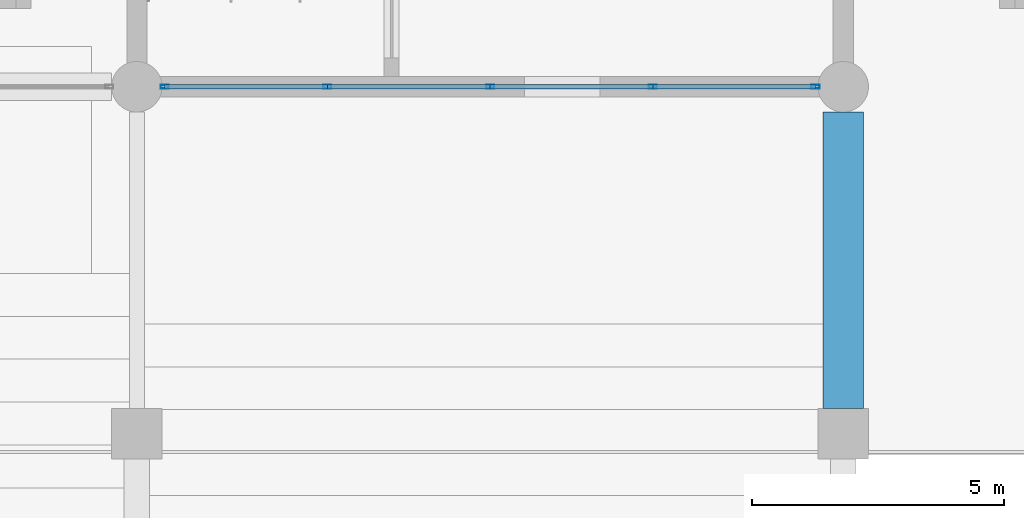
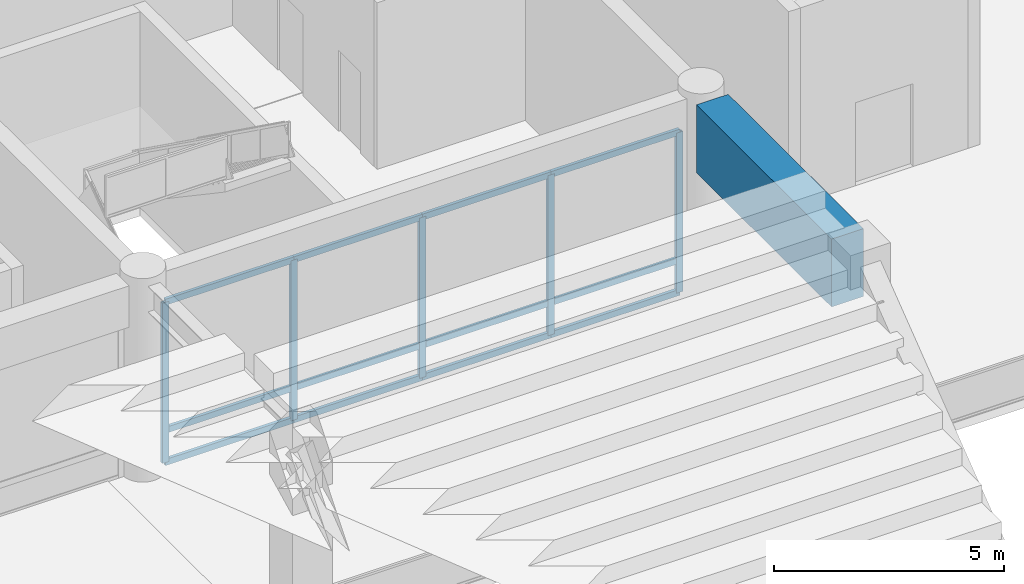
# One storey, part 68 of 117: 17 members, 1 beam, 1 element without a shape of its own.
"""IFC4 building model written with IfcOpenShell, lengths in metres."""

from ifc_helpers import new_model, si_unit, direction, frame, origin, origin_2d, place, context, subcontext, project, spatial, rectangle, hollow_rectangle, extrude, material, material_profile, profile_set, type_object, element, aggregate, save


model = new_model("IFC4")

# Units and contexts
model_context = context("Model", 3, precision=1e-05, world=origin(), true_north=direction((0.0, 1.0)))
body_context = subcontext(model_context, "Body", "Model", "MODEL_VIEW")
ifc_project = project(units=[si_unit("LENGTHUNIT", "METRE"), si_unit("AREAUNIT", "SQUARE_METRE"), si_unit("VOLUMEUNIT", "CUBIC_METRE"), si_unit("PLANEANGLEUNIT", "RADIAN"), si_unit("MASSUNIT", "GRAM", prefix="KILO")], contexts=[model_context])

# Site, building, storey
site_placement = place(None, origin())
site = spatial("IfcSite", under=ifc_project, at=site_placement, CompositionType="ELEMENT")
building_placement = place(site_placement, origin())
building = spatial("IfcBuilding", under=site, at=building_placement, Name="Linyun Crest Stadium", CompositionType="ELEMENT")
storey_placement = place(building_placement, frame((0.0, 0.0, 6.0)))
storey = spatial("IfcBuildingStorey", under=building, at=storey_placement, Name="L02", CompositionType="ELEMENT", Elevation=6.0)

# Beam
ifc_material_1 = material(Name="Concrete C50", Category="concrete")
ifc_material_profile_1 = material_profile(ifc_material_1, rectangle(XDim=0.800048828125, YDim=1.800048828125, at=origin_2d()), Name="RCB 1800x800")
ifc_profile_set_1 = profile_set([ifc_material_profile_1], Name="Concrete C50")
beam_type = type_object("IfcBeamType", Name="B14", PredefinedType="BEAM", material=ifc_profile_set_1)
beam_placement = place(storey_placement, frame((28.0, 85.125, 4.300048828125), z_axis=(0.0, 1.0, 0.0), x_axis=(-1.0, 0.0, 0.0)))
element("IfcBeam", 1, at=beam_placement, inside=storey, type_object=beam_type, Name="Frame beam B14 L02 799", PredefinedType="BEAM", context=body_context, shape_type="SweptSolid", body=[
    extrude(rectangle(XDim=0.800048828125, YDim=1.800048828125, at=origin_2d()), origin(), (0.0, 0.0, 1.0), 5.875),
])

# Curtain wall, members
ifc_material_2 = material(Name="Verdigris steel and low-E curtain wall assembly", Category="steel")
curtain_wall_type = type_object("IfcCurtainWallType", Name="MCW03", PredefinedType="NOTDEFINED", material=ifc_material_2)
curtain_wall_placement = place(storey_placement, origin())
curtain_wall = element("IfcCurtainWall", 2, at=curtain_wall_placement, inside=storey, type_object=curtain_wall_type, Name="CWR-148", PredefinedType="NOTDEFINED")
ifc_material_3 = material(Name="Aluminium thermally broken mullion", Category="aluminium")
ifc_material_profile_2 = material_profile(ifc_material_3, hollow_rectangle(XDim=0.080078125, YDim=0.159912109375, WallThickness=0.006103515625, at=origin_2d()), Name="RHS 160x80x6")
ifc_profile_set_2 = profile_set([ifc_material_profile_2], Name="Aluminium thermally broken mullion")
member_type_1 = type_object("IfcMemberType", Name="ML01", PredefinedType="MULLION", material=ifc_profile_set_2)
member_1_placement = place(storey_placement, frame((14.550048828125, 91.5, 0.0), z_axis=(0.0, 0.0, 1.0), x_axis=(0.0, 1.0, 0.0)))
member_1 = element("IfcMember", 3, at=member_1_placement, type_object=member_type_1, Name="CWR-148 mullion 1", PredefinedType="MULLION", context=body_context, shape_type="SweptSolid", body=[
    extrude(hollow_rectangle(XDim=0.080078125, YDim=0.159912109375, WallThickness=0.006103515625, at=origin_2d()), origin(), (0.0, 0.0, 1.0), 4.25),
])
member_2_placement = place(storey_placement, frame((17.77490234375, 91.5, 0.0), z_axis=(0.0, 0.0, 1.0), x_axis=(0.0, 1.0, 0.0)))
member_2 = element("IfcMember", 4, at=member_2_placement, type_object=member_type_1, Name="CWR-148 mullion 2", PredefinedType="MULLION", context=body_context, shape_type="SweptSolid", body=[
    extrude(hollow_rectangle(XDim=0.080078125, YDim=0.159912109375, WallThickness=0.006103515625, at=origin_2d()), origin(), (0.0, 0.0, 1.0), 4.25),
])
member_3_placement = place(storey_placement, frame((21.0, 91.5, 0.0), z_axis=(0.0, 0.0, 1.0), x_axis=(0.0, 1.0, 0.0)))
member_3 = element("IfcMember", 5, at=member_3_placement, type_object=member_type_1, Name="CWR-148 mullion 3", PredefinedType="MULLION", context=body_context, shape_type="SweptSolid", body=[
    extrude(hollow_rectangle(XDim=0.080078125, YDim=0.159912109375, WallThickness=0.006103515625, at=origin_2d()), origin(), (0.0, 0.0, 1.0), 4.25),
])
member_4_placement = place(storey_placement, frame((24.22509765625, 91.5, 0.0), z_axis=(0.0, 0.0, 1.0), x_axis=(0.0, 1.0, 0.0)))
member_4 = element("IfcMember", 6, at=member_4_placement, type_object=member_type_1, Name="CWR-148 mullion 4", PredefinedType="MULLION", context=body_context, shape_type="SweptSolid", body=[
    extrude(hollow_rectangle(XDim=0.080078125, YDim=0.159912109375, WallThickness=0.006103515625, at=origin_2d()), origin(), (0.0, 0.0, 1.0), 4.25),
])
member_5_placement = place(storey_placement, frame((27.449951171875, 91.5, 0.0), z_axis=(0.0, 0.0, 1.0), x_axis=(0.0, 1.0, 0.0)))
member_5 = element("IfcMember", 7, at=member_5_placement, type_object=member_type_1, Name="CWR-148 mullion 5", PredefinedType="MULLION", context=body_context, shape_type="SweptSolid", body=[
    extrude(hollow_rectangle(XDim=0.080078125, YDim=0.159912109375, WallThickness=0.006103515625, at=origin_2d()), origin(), (0.0, 0.0, 1.0), 4.25),
])
ifc_material_4 = material(Name="Aluminium thermally broken transom", Category="aluminium")
ifc_material_profile_3 = material_profile(ifc_material_4, hollow_rectangle(XDim=0.080078125, YDim=0.159912109375, WallThickness=0.006103515625, at=origin_2d()), Name="RHS 160x80x6")
ifc_profile_set_3 = profile_set([ifc_material_profile_3], Name="Aluminium thermally broken transom")
member_type_2 = type_object("IfcMemberType", Name="TR01", PredefinedType="USERDEFINED", material=ifc_profile_set_3)
member_6_placement = place(storey_placement, frame((14.550048828125, 91.5, 0.0), z_axis=(1.0, 0.0, 0.0), x_axis=(0.0, 1.0, 0.0)))
member_6 = element("IfcMember", 8, at=member_6_placement, type_object=member_type_2, Name="CWR-148 transom 1.1", ObjectType="TRANSOM", PredefinedType="USERDEFINED", context=body_context, shape_type="SweptSolid", body=[
    extrude(hollow_rectangle(XDim=0.080078125, YDim=0.159912109375, WallThickness=0.006103515625, at=origin_2d()), origin(), (0.0, 0.0, 1.0), 3.224853515625),
])
member_7_placement = place(storey_placement, frame((14.550048828125, 91.5, 0.85009765625), z_axis=(1.0, 0.0, 0.0), x_axis=(0.0, 1.0, 0.0)))
member_7 = element("IfcMember", 9, at=member_7_placement, type_object=member_type_2, Name="CWR-148 transom 1.2", ObjectType="TRANSOM", PredefinedType="USERDEFINED", context=body_context, shape_type="SweptSolid", body=[
    extrude(hollow_rectangle(XDim=0.080078125, YDim=0.159912109375, WallThickness=0.006103515625, at=origin_2d()), origin(), (0.0, 0.0, 1.0), 3.224853515625),
])
member_8_placement = place(storey_placement, frame((14.550048828125, 91.5, 4.25), z_axis=(1.0, 0.0, 0.0), x_axis=(0.0, 1.0, 0.0)))
member_8 = element("IfcMember", 10, at=member_8_placement, type_object=member_type_2, Name="CWR-148 transom 1.3", ObjectType="TRANSOM", PredefinedType="USERDEFINED", context=body_context, shape_type="SweptSolid", body=[
    extrude(hollow_rectangle(XDim=0.080078125, YDim=0.159912109375, WallThickness=0.006103515625, at=origin_2d()), origin(), (0.0, 0.0, 1.0), 3.224853515625),
])
member_9_placement = place(storey_placement, frame((17.77490234375, 91.5, 0.0), z_axis=(1.0, 0.0, 0.0), x_axis=(0.0, 1.0, 0.0)))
member_9 = element("IfcMember", 11, at=member_9_placement, type_object=member_type_2, Name="CWR-148 transom 2.1", ObjectType="TRANSOM", PredefinedType="USERDEFINED", context=body_context, shape_type="SweptSolid", body=[
    extrude(hollow_rectangle(XDim=0.080078125, YDim=0.159912109375, WallThickness=0.006103515625, at=origin_2d()), origin(), (0.0, 0.0, 1.0), 3.22509765625),
])
member_10_placement = place(storey_placement, frame((17.77490234375, 91.5, 0.85009765625), z_axis=(1.0, 0.0, 0.0), x_axis=(0.0, 1.0, 0.0)))
member_10 = element("IfcMember", 12, at=member_10_placement, type_object=member_type_2, Name="CWR-148 transom 2.2", ObjectType="TRANSOM", PredefinedType="USERDEFINED", context=body_context, shape_type="SweptSolid", body=[
    extrude(hollow_rectangle(XDim=0.080078125, YDim=0.159912109375, WallThickness=0.006103515625, at=origin_2d()), origin(), (0.0, 0.0, 1.0), 3.22509765625),
])
member_11_placement = place(storey_placement, frame((17.77490234375, 91.5, 4.25), z_axis=(1.0, 0.0, 0.0), x_axis=(0.0, 1.0, 0.0)))
member_11 = element("IfcMember", 13, at=member_11_placement, type_object=member_type_2, Name="CWR-148 transom 2.3", ObjectType="TRANSOM", PredefinedType="USERDEFINED", context=body_context, shape_type="SweptSolid", body=[
    extrude(hollow_rectangle(XDim=0.080078125, YDim=0.159912109375, WallThickness=0.006103515625, at=origin_2d()), origin(), (0.0, 0.0, 1.0), 3.22509765625),
])
member_12_placement = place(storey_placement, frame((21.0, 91.5, 0.0), z_axis=(1.0, 0.0, 0.0), x_axis=(0.0, 1.0, 0.0)))
member_12 = element("IfcMember", 14, at=member_12_placement, type_object=member_type_2, Name="CWR-148 transom 3.1", ObjectType="TRANSOM", PredefinedType="USERDEFINED", context=body_context, shape_type="SweptSolid", body=[
    extrude(hollow_rectangle(XDim=0.080078125, YDim=0.159912109375, WallThickness=0.006103515625, at=origin_2d()), origin(), (0.0, 0.0, 1.0), 3.22509765625),
])
member_13_placement = place(storey_placement, frame((21.0, 91.5, 0.85009765625), z_axis=(1.0, 0.0, 0.0), x_axis=(0.0, 1.0, 0.0)))
member_13 = element("IfcMember", 15, at=member_13_placement, type_object=member_type_2, Name="CWR-148 transom 3.2", ObjectType="TRANSOM", PredefinedType="USERDEFINED", context=body_context, shape_type="SweptSolid", body=[
    extrude(hollow_rectangle(XDim=0.080078125, YDim=0.159912109375, WallThickness=0.006103515625, at=origin_2d()), origin(), (0.0, 0.0, 1.0), 3.22509765625),
])
member_14_placement = place(storey_placement, frame((21.0, 91.5, 4.25), z_axis=(1.0, 0.0, 0.0), x_axis=(0.0, 1.0, 0.0)))
member_14 = element("IfcMember", 16, at=member_14_placement, type_object=member_type_2, Name="CWR-148 transom 3.3", ObjectType="TRANSOM", PredefinedType="USERDEFINED", context=body_context, shape_type="SweptSolid", body=[
    extrude(hollow_rectangle(XDim=0.080078125, YDim=0.159912109375, WallThickness=0.006103515625, at=origin_2d()), origin(), (0.0, 0.0, 1.0), 3.22509765625),
])
member_15_placement = place(storey_placement, frame((24.22509765625, 91.5, 0.0), z_axis=(1.0, 0.0, 0.0), x_axis=(0.0, 1.0, 0.0)))
member_15 = element("IfcMember", 17, at=member_15_placement, type_object=member_type_2, Name="CWR-148 transom 4.1", ObjectType="TRANSOM", PredefinedType="USERDEFINED", context=body_context, shape_type="SweptSolid", body=[
    extrude(hollow_rectangle(XDim=0.080078125, YDim=0.159912109375, WallThickness=0.006103515625, at=origin_2d()), origin(), (0.0, 0.0, 1.0), 3.224853515625),
])
member_16_placement = place(storey_placement, frame((24.22509765625, 91.5, 0.85009765625), z_axis=(1.0, 0.0, 0.0), x_axis=(0.0, 1.0, 0.0)))
member_16 = element("IfcMember", 18, at=member_16_placement, type_object=member_type_2, Name="CWR-148 transom 4.2", ObjectType="TRANSOM", PredefinedType="USERDEFINED", context=body_context, shape_type="SweptSolid", body=[
    extrude(hollow_rectangle(XDim=0.080078125, YDim=0.159912109375, WallThickness=0.006103515625, at=origin_2d()), origin(), (0.0, 0.0, 1.0), 3.224853515625),
])
member_17_placement = place(storey_placement, frame((24.22509765625, 91.5, 4.25), z_axis=(1.0, 0.0, 0.0), x_axis=(0.0, 1.0, 0.0)))
member_17 = element("IfcMember", 19, at=member_17_placement, type_object=member_type_2, Name="CWR-148 transom 4.3", ObjectType="TRANSOM", PredefinedType="USERDEFINED", context=body_context, shape_type="SweptSolid", body=[
    extrude(hollow_rectangle(XDim=0.080078125, YDim=0.159912109375, WallThickness=0.006103515625, at=origin_2d()), origin(), (0.0, 0.0, 1.0), 3.224853515625),
])
aggregate(curtain_wall, [member_1, member_2, member_3, member_4, member_5, member_6, member_7, member_8, member_9, member_10, member_11, member_12, member_13, member_14, member_15, member_16, member_17])

save(model, "model.ifc")
